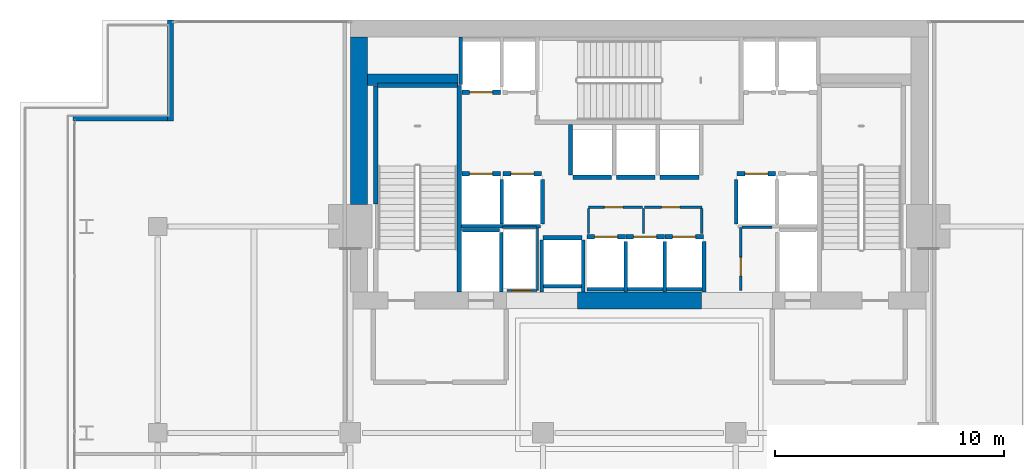
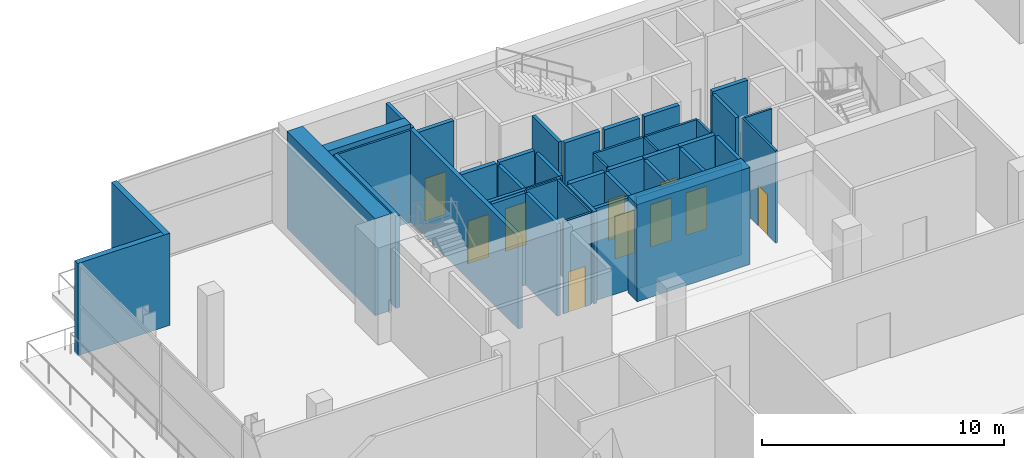
# One storey, part 25 of 31: 44 walls, 11 doors, 11 openings.
"""IFC4 building model written with IfcOpenShell, lengths in metres."""

from ifc_helpers import new_model, si_unit, direction, frame, frame_2d, origin, place, context, subcontext, project, spatial, rectangle, extrude, material, layer, layer_set, type_object, element, fill, save


model = new_model("IFC4")

# Units and contexts
model_context = context("Model", 3, precision=1e-05, world=origin(), true_north=direction((0.0, 1.0)))
body_context = subcontext(model_context, "Body", "Model", "MODEL_VIEW")
ifc_project = project(units=[si_unit("LENGTHUNIT", "METRE"), si_unit("AREAUNIT", "SQUARE_METRE"), si_unit("VOLUMEUNIT", "CUBIC_METRE"), si_unit("PLANEANGLEUNIT", "RADIAN"), si_unit("MASSUNIT", "GRAM", prefix="KILO")], contexts=[model_context])

# Site, building, storey
site_placement = place(None, origin())
site = spatial("IfcSite", under=ifc_project, at=site_placement, CompositionType="ELEMENT")
building_placement = place(site_placement, origin())
building = spatial("IfcBuilding", under=site, at=building_placement, Name="Maruvema Waterfront Hotel and Observation Tower", CompositionType="ELEMENT")
storey_placement = place(building_placement, frame((0.0, 0.0, 122.5)))
storey = spatial("IfcBuildingStorey", under=building, at=storey_placement, Name="L29", CompositionType="ELEMENT", Elevation=122.5)

# Walls
ifc_material_1 = material(Name="Precast concrete C45/55", Category="concrete")
ifc_layer_1 = layer(ifc_material_1, 0.199951171875, Name="Core Shaft and Stairwell Enclosure Wall 200 mm")
ifc_layer_set_1 = layer_set([ifc_layer_1], Name="Precast concrete C45/55")
wall_type_1 = type_object("IfcWallType", Name="Core Shaft and Stairwell Enclosure Wall 200 mm", PredefinedType="SOLIDWALL", material=ifc_layer_set_1)
wall_1_placement = place(storey_placement, frame((29.949951171875, 42.14990234375, 0.0), z_axis=(0.0, 0.0, 1.0), x_axis=(0.0, 1.0, 0.0)))
element("IfcWall", 1, at=wall_1_placement, inside=storey, type_object=wall_type_1, Name="L29 Stairwell ST-01 East Shaft Wall", PredefinedType="SOLIDWALL", context=body_context, shape_type="SweptSolid", body=[
    extrude(rectangle(XDim=9.0, YDim=0.199951171875, at=frame_2d((4.5, 0.0))), origin(), (0.0, 0.0, 1.0), 4.659912109375),
])
wall_2_placement = place(storey_placement, frame((26.300048828125, 45.97998046875, 0.0), z_axis=(0.0, 0.0, 1.0), x_axis=(0.0, 1.0, 0.0)))
element("IfcWall", 2, at=wall_2_placement, inside=storey, type_object=wall_type_1, Name="L29 Stairwell ST-01 Shaft Lining Wall", PredefinedType="SOLIDWALL", context=body_context, shape_type="SweptSolid", body=[
    extrude(rectangle(XDim=5.14013671875, YDim=0.199951171875, at=frame_2d((2.570068359375, 0.0))), origin(), (0.0, 0.0, 1.0), 4.659912109375),
])
wall_3_placement = place(storey_placement, frame((26.3798828125, 51.14990234375, 0.0), z_axis=(0.0, 0.0, 1.0), x_axis=(1.0, 0.0, 0.0)))
element("IfcWall", 3, at=wall_3_placement, inside=storey, type_object=wall_type_1, Name="L29 Stairwell ST-01 Shaft Lining Wall", PredefinedType="SOLIDWALL", context=body_context, shape_type="SweptSolid", body=[
    extrude(rectangle(XDim=3.5, YDim=0.199951171875, at=frame_2d((1.75, 0.0))), origin(), (0.0, 0.0, 1.0), 4.659912109375),
])

# Wall, opening, door
wall_4_placement = place(storey_placement, frame((30.06005859375, 47.300048828125, 0.0), z_axis=(0.0, 0.0, 1.0), x_axis=(1.0, 0.0, 0.0)))
wall_4 = element("IfcWall", 4, at=wall_4_placement, inside=storey, type_object=wall_type_1, Name="L29 Lift LF-01 Hoistway Front Wall", PredefinedType="SOLIDWALL", context=body_context, shape_type="SweptSolid", body=[
    extrude(rectangle(XDim=1.679931640625, YDim=0.199951171875, at=frame_2d((0.83984375, 0.0))), origin(), (0.0, 0.0, 1.0), 4.659912109375),
])
opening_1_placement = place(wall_4_placement, frame((0.340087890625, 0.0, 0.0)))
opening_1 = element("IfcOpeningElement", 5, at=opening_1_placement, cuts=wall_4, Name="Opening LD-01", PredefinedType="OPENING", context=body_context, shape_type="SweptSolid", body=[
    extrude(rectangle(XDim=1.0, YDim=2.14990234375, at=frame_2d((0.5, 1.074951171875))), frame((0.0, 0.10986328125, 0.0), z_axis=(0.0, -1.0, 0.0), x_axis=(1.0, 0.0, 0.0)), (0.0, 0.0, 1.0), 0.219970703125),
])
ifc_material_2 = material(Name="Brushed stainless steel Grade 316", Category="steel")
door_type_1 = type_object("IfcDoorType", Name="Passenger Lift Sliding Landing Door 1000x2150 mm", OperationType="SLIDING_TO_LEFT", PredefinedType="DOOR", material=ifc_material_2)
door_1_placement = place(opening_1_placement, origin())
door_1 = element("IfcDoor", 6, at=door_1_placement, inside=storey, type_object=door_type_1, Name="L29 Lift LF-01 Sliding Landing Door", OperationType="SLIDING_TO_LEFT", OverallHeight=2.14990234375, OverallWidth=1.0, PredefinedType="DOOR", context=body_context, shape_type="SweptSolid", body=[
    extrude(rectangle(XDim=1.0, YDim=2.14990234375, at=frame_2d((0.5, 1.074951171875))), frame((0.0, 0.02490234375, 0.0), z_axis=(0.0, -1.0, 0.0), x_axis=(1.0, 0.0, 0.0)), (0.0, 0.0, 1.0), 0.050048828125),
])
fill(opening_1, door_1)

wall_5_placement = place(storey_placement, frame((31.860107421875, 47.300048828125, 0.0), z_axis=(0.0, 0.0, 1.0), x_axis=(1.0, 0.0, 0.0)))
wall_5 = element("IfcWall", 7, at=wall_5_placement, inside=storey, type_object=wall_type_1, Name="L29 Lift LF-02 Hoistway Front Wall", PredefinedType="SOLIDWALL", context=body_context, shape_type="SweptSolid", body=[
    extrude(rectangle(XDim=1.679931640625, YDim=0.199951171875, at=frame_2d((0.83984375, 0.0))), origin(), (0.0, 0.0, 1.0), 4.659912109375),
])
opening_2_placement = place(wall_5_placement, frame((0.340087890625, 0.0, 0.0)))
opening_2 = element("IfcOpeningElement", 8, at=opening_2_placement, cuts=wall_5, Name="Opening LD-01", PredefinedType="OPENING", context=body_context, shape_type="SweptSolid", body=[
    extrude(rectangle(XDim=1.0, YDim=2.14990234375, at=frame_2d((0.5, 1.074951171875))), frame((0.0, 0.10986328125, 0.0), z_axis=(0.0, -1.0, 0.0), x_axis=(1.0, 0.0, 0.0)), (0.0, 0.0, 1.0), 0.219970703125),
])
door_2_placement = place(opening_2_placement, origin())
door_2 = element("IfcDoor", 9, at=door_2_placement, inside=storey, type_object=door_type_1, Name="L29 Lift LF-02 Sliding Landing Door", OperationType="SLIDING_TO_LEFT", OverallHeight=2.14990234375, OverallWidth=1.0, PredefinedType="DOOR", context=body_context, shape_type="SweptSolid", body=[
    extrude(rectangle(XDim=1.0, YDim=2.14990234375, at=frame_2d((0.5, 1.074951171875))), frame((0.0, 0.02490234375, 0.0), z_axis=(0.0, -1.0, 0.0), x_axis=(1.0, 0.0, 0.0)), (0.0, 0.0, 1.0), 0.050048828125),
])
fill(opening_2, door_2)

wall_6_placement = place(storey_placement, frame((30.06005859375, 50.85009765625, 0.0), z_axis=(0.0, 0.0, 1.0), x_axis=(1.0, 0.0, 0.0)))
wall_6 = element("IfcWall", 10, at=wall_6_placement, inside=storey, type_object=wall_type_1, Name="L29 Lift LF-03 Hoistway Front Wall", PredefinedType="SOLIDWALL", context=body_context, shape_type="SweptSolid", body=[
    extrude(rectangle(XDim=1.679931640625, YDim=0.199951171875, at=frame_2d((0.83984375, 0.0))), origin(), (0.0, 0.0, 1.0), 4.659912109375),
])
opening_3_placement = place(wall_6_placement, frame((0.340087890625, 0.0, 0.0)))
opening_3 = element("IfcOpeningElement", 11, at=opening_3_placement, cuts=wall_6, Name="Opening LD-01", PredefinedType="OPENING", context=body_context, shape_type="SweptSolid", body=[
    extrude(rectangle(XDim=1.0, YDim=2.14990234375, at=frame_2d((0.5, 1.074951171875))), frame((0.0, 0.10986328125, 0.0), z_axis=(0.0, -1.0, 0.0), x_axis=(1.0, 0.0, 0.0)), (0.0, 0.0, 1.0), 0.219970703125),
])
door_3_placement = place(opening_3_placement, frame((1.0, 0.0, 0.0), z_axis=(0.0, 0.0, 1.0), x_axis=(-1.0, 0.0, 0.0)))
door_3 = element("IfcDoor", 12, at=door_3_placement, inside=storey, type_object=door_type_1, Name="L29 Lift LF-03 Sliding Landing Door", OperationType="SLIDING_TO_LEFT", OverallHeight=2.14990234375, OverallWidth=1.0, PredefinedType="DOOR", context=body_context, shape_type="SweptSolid", body=[
    extrude(rectangle(XDim=1.0, YDim=2.14990234375, at=frame_2d((0.5, 1.074951171875))), frame((0.0, 0.02490234375, 0.0), z_axis=(0.0, -1.0, 0.0), x_axis=(1.0, 0.0, 0.0)), (0.0, 0.0, 1.0), 0.050048828125),
])
fill(opening_3, door_3)

wall_7_placement = place(storey_placement, frame((42.06005859375, 47.300048828125, 0.0), z_axis=(0.0, 0.0, 1.0), x_axis=(1.0, 0.0, 0.0)))
wall_7 = element("IfcWall", 13, at=wall_7_placement, inside=storey, type_object=wall_type_1, Name="L29 Lift LF-05 Hoistway Front Wall", PredefinedType="SOLIDWALL", context=body_context, shape_type="SweptSolid", body=[
    extrude(rectangle(XDim=1.679931640625, YDim=0.199951171875, at=frame_2d((0.83984375, 0.0))), origin(), (0.0, 0.0, 1.0), 4.659912109375),
])
opening_4_placement = place(wall_7_placement, frame((0.340087890625, 0.0, 0.0)))
opening_4 = element("IfcOpeningElement", 14, at=opening_4_placement, cuts=wall_7, Name="Opening LD-01", PredefinedType="OPENING", context=body_context, shape_type="SweptSolid", body=[
    extrude(rectangle(XDim=1.0, YDim=2.14990234375, at=frame_2d((0.5, 1.074951171875))), frame((0.0, 0.10986328125, 0.0), z_axis=(0.0, -1.0, 0.0), x_axis=(1.0, 0.0, 0.0)), (0.0, 0.0, 1.0), 0.219970703125),
])
door_4_placement = place(opening_4_placement, origin())
door_4 = element("IfcDoor", 15, at=door_4_placement, inside=storey, type_object=door_type_1, Name="L29 Lift LF-05 Sliding Landing Door", OperationType="SLIDING_TO_LEFT", OverallHeight=2.14990234375, OverallWidth=1.0, PredefinedType="DOOR", context=body_context, shape_type="SweptSolid", body=[
    extrude(rectangle(XDim=1.0, YDim=2.14990234375, at=frame_2d((0.5, 1.074951171875))), frame((0.0, 0.02490234375, 0.0), z_axis=(0.0, -1.0, 0.0), x_axis=(1.0, 0.0, 0.0)), (0.0, 0.0, 1.0), 0.050048828125),
])
fill(opening_4, door_4)

wall_8_placement = place(storey_placement, frame((35.510009765625, 44.550048828125, 0.0), z_axis=(0.0, 0.0, 1.0), x_axis=(1.0, 0.0, 0.0)))
wall_8 = element("IfcWall", 16, at=wall_8_placement, inside=storey, type_object=wall_type_1, Name="L29 Lift LF-09 Hoistway Front Wall", PredefinedType="SOLIDWALL", context=body_context, shape_type="SweptSolid", body=[
    extrude(rectangle(XDim=1.679931640625, YDim=0.199951171875, at=frame_2d((0.83984375, 0.0))), origin(), (0.0, 0.0, 1.0), 4.659912109375),
])
opening_5_placement = place(wall_8_placement, frame((0.340087890625, 0.0, 0.0)))
opening_5 = element("IfcOpeningElement", 17, at=opening_5_placement, cuts=wall_8, Name="Opening LD-01", PredefinedType="OPENING", context=body_context, shape_type="SweptSolid", body=[
    extrude(rectangle(XDim=1.0, YDim=2.14990234375, at=frame_2d((0.5, 1.074951171875))), frame((0.0, 0.10986328125, 0.0), z_axis=(0.0, -1.0, 0.0), x_axis=(1.0, 0.0, 0.0)), (0.0, 0.0, 1.0), 0.219970703125),
])
door_5_placement = place(opening_5_placement, origin())
door_5 = element("IfcDoor", 18, at=door_5_placement, inside=storey, type_object=door_type_1, Name="L29 Lift LF-09 Sliding Landing Door", OperationType="SLIDING_TO_LEFT", OverallHeight=2.14990234375, OverallWidth=1.0, PredefinedType="DOOR", context=body_context, shape_type="SweptSolid", body=[
    extrude(rectangle(XDim=1.0, YDim=2.14990234375, at=frame_2d((0.5, 1.074951171875))), frame((0.0, 0.02490234375, 0.0), z_axis=(0.0, -1.0, 0.0), x_axis=(1.0, 0.0, 0.0)), (0.0, 0.0, 1.0), 0.050048828125),
])
fill(opening_5, door_5)

wall_9_placement = place(storey_placement, frame((37.2099609375, 44.550048828125, 0.0), z_axis=(0.0, 0.0, 1.0), x_axis=(1.0, 0.0, 0.0)))
wall_9 = element("IfcWall", 19, at=wall_9_placement, inside=storey, type_object=wall_type_1, Name="L29 Lift LF-10 Hoistway Front Wall", PredefinedType="SOLIDWALL", context=body_context, shape_type="SweptSolid", body=[
    extrude(rectangle(XDim=1.679931640625, YDim=0.199951171875, at=frame_2d((0.83984375, 0.0))), origin(), (0.0, 0.0, 1.0), 4.659912109375),
])
opening_6_placement = place(wall_9_placement, frame((0.340087890625, 0.0, 0.0)))
opening_6 = element("IfcOpeningElement", 20, at=opening_6_placement, cuts=wall_9, Name="Opening LD-01", PredefinedType="OPENING", context=body_context, shape_type="SweptSolid", body=[
    extrude(rectangle(XDim=1.0, YDim=2.14990234375, at=frame_2d((0.5, 1.074951171875))), frame((0.0, 0.10986328125, 0.0), z_axis=(0.0, -1.0, 0.0), x_axis=(1.0, 0.0, 0.0)), (0.0, 0.0, 1.0), 0.219970703125),
])
door_6_placement = place(opening_6_placement, origin())
door_6 = element("IfcDoor", 21, at=door_6_placement, inside=storey, type_object=door_type_1, Name="L29 Lift LF-10 Sliding Landing Door", OperationType="SLIDING_TO_LEFT", OverallHeight=2.14990234375, OverallWidth=1.0, PredefinedType="DOOR", context=body_context, shape_type="SweptSolid", body=[
    extrude(rectangle(XDim=1.0, YDim=2.14990234375, at=frame_2d((0.5, 1.074951171875))), frame((0.0, 0.02490234375, 0.0), z_axis=(0.0, -1.0, 0.0), x_axis=(1.0, 0.0, 0.0)), (0.0, 0.0, 1.0), 0.050048828125),
])
fill(opening_6, door_6)

wall_10_placement = place(storey_placement, frame((38.909912109375, 44.550048828125, 0.0), z_axis=(0.0, 0.0, 1.0), x_axis=(1.0, 0.0, 0.0)))
wall_10 = element("IfcWall", 22, at=wall_10_placement, inside=storey, type_object=wall_type_1, Name="L29 Lift LF-11 Hoistway Front Wall", PredefinedType="SOLIDWALL", context=body_context, shape_type="SweptSolid", body=[
    extrude(rectangle(XDim=1.68017578125, YDim=0.199951171875, at=frame_2d((0.840087890625, 0.0))), origin(), (0.0, 0.0, 1.0), 4.659912109375),
])
opening_7_placement = place(wall_10_placement, frame((0.340087890625, 0.0, 0.0)))
opening_7 = element("IfcOpeningElement", 23, at=opening_7_placement, cuts=wall_10, Name="Opening LD-01", PredefinedType="OPENING", context=body_context, shape_type="SweptSolid", body=[
    extrude(rectangle(XDim=1.0, YDim=2.14990234375, at=frame_2d((0.5, 1.074951171875))), frame((0.0, 0.10986328125, 0.0), z_axis=(0.0, -1.0, 0.0), x_axis=(1.0, 0.0, 0.0)), (0.0, 0.0, 1.0), 0.219970703125),
])
door_7_placement = place(opening_7_placement, origin())
door_7 = element("IfcDoor", 24, at=door_7_placement, inside=storey, type_object=door_type_1, Name="L29 Lift LF-11 Sliding Landing Door", OperationType="SLIDING_TO_LEFT", OverallHeight=2.14990234375, OverallWidth=1.0, PredefinedType="DOOR", context=body_context, shape_type="SweptSolid", body=[
    extrude(rectangle(XDim=1.0, YDim=2.14990234375, at=frame_2d((0.5, 1.074951171875))), frame((0.0, 0.02490234375, 0.0), z_axis=(0.0, -1.0, 0.0), x_axis=(1.0, 0.0, 0.0)), (0.0, 0.0, 1.0), 0.050048828125),
])
fill(opening_7, door_7)

# Walls
wall_11_placement = place(storey_placement, frame((34.909912109375, 47.14990234375, 0.0), z_axis=(0.0, 0.0, 1.0), x_axis=(1.0, 0.0, 0.0)))
element("IfcWall", 25, at=wall_11_placement, inside=storey, type_object=wall_type_1, Name="L29 Lift LF-12 Hoistway Front Wall", PredefinedType="SOLIDWALL", context=body_context, shape_type="SweptSolid", body=[
    extrude(rectangle(XDim=1.68017578125, YDim=0.199951171875, at=frame_2d((0.840087890625, 0.0))), origin(), (0.0, 0.0, 1.0), 4.659912109375),
])
for number, where, z_axis, x_axis, name in (
    (26, (36.81005859375, 47.14990234375, 0.0), (0.0, 0.0, 1.0), (1.0, 0.0, 0.0), "L29 Lift LF-13 Hoistway Front Wall"),
    (27, (38.7099609375, 47.14990234375, 0.0), (0.0, 0.0, 1.0), (1.0, 0.0, 0.0), "L29 Lift LF-14 Hoistway Front Wall"),
    (28, (33.610107421875, 44.5, 0.0), (0.0, 0.0, 1.0), (1.0, 0.0, 0.0), "L29 Lift LF-15 Hoistway Front Wall"),
):
    element("IfcWall", number, at=place(storey_placement, frame(where, z_axis=z_axis, x_axis=x_axis)), inside=storey, type_object=wall_type_1, Name=name, PredefinedType="SOLIDWALL", context=body_context, shape_type="SweptSolid", body=[
        extrude(rectangle(XDim=1.679931640625, YDim=0.199951171875, at=frame_2d((0.83984375, 0.0))), origin(), (0.0, 0.0, 1.0), 4.659912109375),
    ])
ifc_material_3 = material(Name="Concrete C70/85", Category="concrete")
ifc_layer_2 = layer(ifc_material_3, 0.5, Name="Core Shear Wall 500 mm")
ifc_layer_set_2 = layer_set([ifc_layer_2], Name="Concrete C70/85")
wall_type_2 = type_object("IfcWallType", Name="Core Shear Wall 500 mm", PredefinedType="SHEAR", material=ifc_layer_set_2)
wall_12_placement = place(storey_placement, frame((25.949951171875, 51.39990234375, 0.0), z_axis=(0.0, 0.0, 1.0), x_axis=(1.0, 0.0, 0.0)))
element("IfcWall", 29, at=wall_12_placement, inside=storey, type_object=wall_type_2, Name="L29 Internal Core Shear Wall NW 500 mm", PredefinedType="SHEAR", context=body_context, shape_type="SweptSolid", body=[
    extrude(rectangle(XDim=3.949951171875, YDim=0.5, at=frame_2d((1.97509765625, 0.0))), origin(), (0.0, 0.0, 1.0), 4.89990234375),
])
ifc_material_4 = material(Name="Concrete C70/85", Category="concrete")
ifc_layer_3 = layer(ifc_material_4, 0.75, Name="Core Shear Wall 750 mm")
ifc_layer_set_3 = layer_set([ifc_layer_3], Name="Concrete C70/85")
wall_type_3 = type_object("IfcWallType", Name="Core Shear Wall 750 mm", PredefinedType="SHEAR", material=ifc_layer_set_3)
wall_13_placement = place(storey_placement, frame((35.10009765625, 41.77490234375, 0.0), z_axis=(0.0, 0.0, 1.0), x_axis=(1.0, 0.0, 0.0)))
element("IfcWall", 30, at=wall_13_placement, inside=storey, type_object=wall_type_3, Name="L29 South-Central Core Shear Wall", PredefinedType="SHEAR", context=body_context, shape_type="SweptSolid", body=[
    extrude(rectangle(XDim=5.39990234375, YDim=0.75, at=frame_2d((2.699951171875, 0.0))), origin(), (0.0, 0.0, 1.0), 4.89990234375),
])
wall_14_placement = place(storey_placement, frame((25.574951171875, 45.949951171875, 0.0), z_axis=(0.0, 0.0, 1.0), x_axis=(0.0, 1.0, 0.0)))
element("IfcWall", 31, at=wall_14_placement, inside=storey, type_object=wall_type_3, Name="L29 West-North Core Shear Wall", PredefinedType="SHEAR", context=body_context, shape_type="SweptSolid", body=[
    extrude(rectangle(XDim=7.300048828125, YDim=0.75, at=frame_2d((3.64990234375, 0.0))), origin(), (0.0, 0.0, 1.0), 4.89990234375),
])

# Wall, opening, door
ifc_material_5 = material(Name="Moisture-resistant cement-board drywall", Category="gypsum")
ifc_layer_4 = layer(ifc_material_5, 0.10009765625, Name="En-Suite Moisture-Resistant Partition 100 mm")
ifc_layer_set_4 = layer_set([ifc_layer_4], Name="Moisture-resistant cement-board drywall")
wall_type_4 = type_object("IfcWallType", Name="En-Suite Moisture-Resistant Partition 100 mm", PredefinedType="PARTITIONING", material=ifc_layer_set_4)
wall_15_placement = place(storey_placement, frame((32.02001953125, 42.2099609375, 0.0), z_axis=(0.0, 0.0, 1.0), x_axis=(1.0, 0.0, 0.0)))
wall_15 = element("IfcWall", 32, at=wall_15_placement, inside=storey, type_object=wall_type_4, Name="L29 Telecom Riser South Wall 007", PredefinedType="PARTITIONING", context=body_context, shape_type="SweptSolid", body=[
    extrude(rectangle(XDim=1.320068359375, YDim=0.10009765625, at=frame_2d((0.66015625, 0.0))), origin(), (0.0, 0.0, 1.0), 4.659912109375),
])
opening_8_placement = place(wall_15_placement, frame((0.239990234375, 0.0, 0.0)))
opening_8 = element("IfcOpeningElement", 33, at=opening_8_placement, cuts=wall_15, Name="Opening DR-080", PredefinedType="OPENING", context=body_context, shape_type="SweptSolid", body=[
    extrude(rectangle(XDim=0.800048828125, YDim=2.050048828125, at=frame_2d((0.39990234375, 1.02490234375))), frame((0.0, 0.06005859375, 0.0), z_axis=(0.0, -1.0, 0.0), x_axis=(1.0, 0.0, 0.0)), (0.0, 0.0, 1.0), 0.1201171875),
])
ifc_material_6 = material(Name="Powder-coated steel access leaf", Category="steel")
door_type_2 = type_object("IfcDoorType", Name="Riser and Service Cupboard Door 800x2050 mm", OperationType="NOTDEFINED", PredefinedType="DOOR", material=ifc_material_6)
door_8_placement = place(opening_8_placement, frame((0.800048828125, 0.0, 0.0), z_axis=(0.0, 0.0, 1.0), x_axis=(-1.0, 0.0, 0.0)))
door_8 = element("IfcDoor", 34, at=door_8_placement, inside=storey, type_object=door_type_2, Name="L29 Telecom Riser Door", OperationType="SINGLE_SWING_LEFT", OverallHeight=2.050048828125, OverallWidth=0.800048828125, PredefinedType="DOOR", context=body_context, shape_type="SweptSolid", body=[
    extrude(rectangle(XDim=0.800048828125, YDim=2.050048828125, at=frame_2d((0.39990234375, 1.02490234375))), frame((0.0, 0.02490234375, 0.0), z_axis=(0.0, -1.0, 0.0), x_axis=(1.0, 0.0, 0.0)), (0.0, 0.0, 1.0), 0.050048828125),
])
fill(opening_8, door_8)

# Walls
wall_16_placement = place(storey_placement, frame((31.840087890625, 44.9599609375, 0.0), z_axis=(0.0, 0.0, 1.0), x_axis=(1.0, 0.0, 0.0)))
element("IfcWall", 35, at=wall_16_placement, inside=storey, type_object=wall_type_4, Name="L29 Telecom Riser North Wall 008", PredefinedType="PARTITIONING", context=body_context, shape_type="SweptSolid", body=[
    extrude(rectangle(XDim=1.47998046875, YDim=0.10009765625, at=frame_2d((0.739990234375, 0.0))), origin(), (0.0, 0.0, 1.0), 4.659912109375),
])
wall_17_placement = place(storey_placement, frame((33.360107421875, 42.2099609375, 0.0), z_axis=(0.0, 0.0, 1.0), x_axis=(0.0, 1.0, 0.0)))
element("IfcWall", 36, at=wall_17_placement, inside=storey, type_object=wall_type_4, Name="L29 Telecom Riser East Wall 009", PredefinedType="PARTITIONING", context=body_context, shape_type="SweptSolid", body=[
    extrude(rectangle(XDim=2.72998046875, YDim=0.10009765625, at=frame_2d((1.364990234375, 0.0))), origin(), (0.0, 0.0, 1.0), 4.659912109375),
])

# Wall, opening, door
wall_18_placement = place(storey_placement, frame((35.580078125, 45.840087890625, 0.0), z_axis=(0.0, 0.0, 1.0), x_axis=(1.0, 0.0, 0.0)))
wall_18 = element("IfcWall", 37, at=wall_18_placement, inside=storey, type_object=wall_type_4, Name="L29 Core Closet K2A North 010", PredefinedType="PARTITIONING", context=body_context, shape_type="SweptSolid", body=[
    extrude(rectangle(XDim=2.35986328125, YDim=0.10009765625, at=frame_2d((1.179931640625, 0.0))), origin(), (0.0, 0.0, 1.0), 4.659912109375),
])
opening_9_placement = place(wall_18_placement, frame((0.699951171875, 0.0, 0.0)))
opening_9 = element("IfcOpeningElement", 38, at=opening_9_placement, cuts=wall_18, Name="Opening DR-080", PredefinedType="OPENING", context=body_context, shape_type="SweptSolid", body=[
    extrude(rectangle(XDim=0.800048828125, YDim=2.050048828125, at=frame_2d((0.39990234375, 1.02490234375))), frame((0.0, 0.06005859375, 0.0), z_axis=(0.0, -1.0, 0.0), x_axis=(1.0, 0.0, 0.0)), (0.0, 0.0, 1.0), 0.1201171875),
])
door_9_placement = place(opening_9_placement, origin())
door_9 = element("IfcDoor", 39, at=door_9_placement, inside=storey, type_object=door_type_2, Name="L29 Core IT Closet Door", OperationType="SINGLE_SWING_RIGHT", OverallHeight=2.050048828125, OverallWidth=0.800048828125, PredefinedType="DOOR", context=body_context, shape_type="SweptSolid", body=[
    extrude(rectangle(XDim=0.800048828125, YDim=2.050048828125, at=frame_2d((0.39990234375, 1.02490234375))), frame((0.0, 0.02490234375, 0.0), z_axis=(0.0, -1.0, 0.0), x_axis=(1.0, 0.0, 0.0)), (0.0, 0.0, 1.0), 0.050048828125),
])
fill(opening_9, door_9)

wall_19_placement = place(storey_placement, frame((38.02001953125, 45.840087890625, 0.0), z_axis=(0.0, 0.0, 1.0), x_axis=(1.0, 0.0, 0.0)))
wall_19 = element("IfcWall", 40, at=wall_19_placement, inside=storey, type_object=wall_type_4, Name="L29 Core Closet K2B North 011", PredefinedType="PARTITIONING", context=body_context, shape_type="SweptSolid", body=[
    extrude(rectangle(XDim=2.5, YDim=0.10009765625, at=frame_2d((1.25, 0.0))), origin(), (0.0, 0.0, 1.0), 4.659912109375),
])
opening_10_placement = place(wall_19_placement, frame((0.75, 0.0, 0.0)))
opening_10 = element("IfcOpeningElement", 41, at=opening_10_placement, cuts=wall_19, Name="Opening DR-080", PredefinedType="OPENING", context=body_context, shape_type="SweptSolid", body=[
    extrude(rectangle(XDim=0.800048828125, YDim=2.050048828125, at=frame_2d((0.39990234375, 1.02490234375))), frame((0.0, 0.06005859375, 0.0), z_axis=(0.0, -1.0, 0.0), x_axis=(1.0, 0.0, 0.0)), (0.0, 0.0, 1.0), 0.1201171875),
])
door_10_placement = place(opening_10_placement, origin())
door_10 = element("IfcDoor", 42, at=door_10_placement, inside=storey, type_object=door_type_2, Name="L29 Core Linen Cupboard Door", OperationType="SINGLE_SWING_LEFT", OverallHeight=2.050048828125, OverallWidth=0.800048828125, PredefinedType="DOOR", context=body_context, shape_type="SweptSolid", body=[
    extrude(rectangle(XDim=0.800048828125, YDim=2.050048828125, at=frame_2d((0.39990234375, 1.02490234375))), frame((0.0, 0.02490234375, 0.0), z_axis=(0.0, -1.0, 0.0), x_axis=(1.0, 0.0, 0.0)), (0.0, 0.0, 1.0), 0.050048828125),
])
fill(opening_10, door_10)

# Walls
for number, where, z_axis, x_axis, name in (
    (43, (35.580078125, 44.699951171875, 0.0), (0.0, 0.0, 1.0), (0.0, 1.0, 0.0), "L29 Core Closet K2 West 012"),
    (44, (37.97998046875, 44.699951171875, 0.0), (0.0, 0.0, 1.0), (0.0, 1.0, 0.0), "L29 Core Closet K2 Mid 013"),
    (45, (40.52001953125, 44.699951171875, 0.0), (0.0, 0.0, 1.0), (0.0, 1.0, 0.0), "L29 Core Closet K2 East 014"),
):
    element("IfcWall", number, at=place(storey_placement, frame(where, z_axis=z_axis, x_axis=x_axis)), inside=storey, type_object=wall_type_4, Name=name, PredefinedType="PARTITIONING", context=body_context, shape_type="SweptSolid", body=[
        extrude(rectangle(XDim=1.080078125, YDim=0.10009765625, at=frame_2d((0.5400390625, 0.0))), origin(), (0.0, 0.0, 1.0), 4.659912109375),
    ])

# Wall, opening, door
wall_20_placement = place(storey_placement, frame((42.219970703125, 42.199951171875, 0.0), z_axis=(0.0, 0.0, 1.0), x_axis=(0.0, 1.0, 0.0)))
wall_20 = element("IfcWall", 46, at=wall_20_placement, inside=storey, type_object=wall_type_4, Name="L29 Core Closet K2C West 015", PredefinedType="PARTITIONING", context=body_context, shape_type="SweptSolid", body=[
    extrude(rectangle(XDim=2.760009765625, YDim=0.10009765625, at=frame_2d((1.3798828125, 0.0))), origin(), (0.0, 0.0, 1.0), 4.659912109375),
])
opening_11_placement = place(wall_20_placement, frame((0.64990234375, 0.0, 0.0)))
opening_11 = element("IfcOpeningElement", 47, at=opening_11_placement, cuts=wall_20, Name="Opening DR-080", PredefinedType="OPENING", context=body_context, shape_type="SweptSolid", body=[
    extrude(rectangle(XDim=0.800048828125, YDim=2.050048828125, at=frame_2d((0.39990234375, 1.02490234375))), frame((0.0, 0.06005859375, 0.0), z_axis=(0.0, -1.0, 0.0), x_axis=(1.0, 0.0, 0.0)), (0.0, 0.0, 1.0), 0.1201171875),
])
door_11_placement = place(opening_11_placement, frame((0.800048828125, 0.0, 0.0), z_axis=(0.0, 0.0, 1.0), x_axis=(-1.0, 0.0, 0.0)))
door_11 = element("IfcDoor", 48, at=door_11_placement, inside=storey, type_object=door_type_2, Name="L29 Core Housekeeping Closet Door", OperationType="SINGLE_SWING_RIGHT", OverallHeight=2.050048828125, OverallWidth=0.800048828125, PredefinedType="DOOR", context=body_context, shape_type="SweptSolid", body=[
    extrude(rectangle(XDim=0.800048828125, YDim=2.050048828125, at=frame_2d((0.39990234375, 1.02490234375))), frame((0.0, 0.02490234375, 0.0), z_axis=(0.0, -1.0, 0.0), x_axis=(1.0, 0.0, 0.0)), (0.0, 0.0, 1.0), 0.050048828125),
])
fill(opening_11, door_11)

# Walls
wall_21_placement = place(storey_placement, frame((42.280029296875, 44.9599609375, 0.0), z_axis=(0.0, 0.0, 1.0), x_axis=(1.0, 0.0, 0.0)))
element("IfcWall", 49, at=wall_21_placement, inside=storey, type_object=wall_type_4, Name="L29 Core Closet K2C North 016", PredefinedType="PARTITIONING", context=body_context, shape_type="SweptSolid", body=[
    extrude(rectangle(XDim=1.300048828125, YDim=0.10009765625, at=frame_2d((0.64990234375, 0.0))), origin(), (0.0, 0.0, 1.0), 4.659912109375),
])
ifc_material_7 = material(Name="Precast concrete C45/55 with honed Pernambuco granite facing", Category="masonry")
ifc_layer_5 = layer(ifc_material_7, 0.260009765625, Name="Exterior Granite Clad Spandrel and Pier Wall 260 mm")
ifc_layer_set_5 = layer_set([ifc_layer_5], Name="Precast concrete C45/55 with honed Pernambuco granite facing")
wall_type_5 = type_object("IfcWallType", Name="Exterior Granite Clad Spandrel and Pier Wall 260 mm", PredefinedType="SOLIDWALL", material=ifc_layer_set_5)
for number, where, z_axis, x_axis, name in (
    (50, (17.3701171875, 49.60009765625, 0.0), (0.0, 0.0, 1.0), (0.0, 1.0, 0.0), "L29 Corner Notch Granite Pier Wall NW1"),
    (51, (13.10009765625, 49.72998046875, 0.0), (0.0, 0.0, 1.0), (1.0, 0.0, 0.0), "L29 Corner Notch Granite Pier Wall NW2"),
):
    element("IfcWall", number, at=place(storey_placement, frame(where, z_axis=z_axis, x_axis=x_axis)), inside=storey, type_object=wall_type_5, Name=name, PredefinedType="SOLIDWALL", context=body_context, shape_type="SweptSolid", body=[
        extrude(rectangle(XDim=4.39990234375, YDim=0.260009765625, at=frame_2d((2.199951171875, 0.0))), origin(), (0.0, 0.0, 1.0), 4.659912109375),
    ])
ifc_material_8 = material(Name="Precast concrete C45/55", Category="concrete")
ifc_layer_6 = layer(ifc_material_8, 0.159912109375, Name="Lift Hoistway Divider Wall 160 mm")
ifc_layer_set_6 = layer_set([ifc_layer_6], Name="Precast concrete C45/55")
wall_type_6 = type_object("IfcWallType", Name="Lift Hoistway Divider Wall 160 mm", PredefinedType="SOLIDWALL", material=ifc_layer_set_6)
wall_22_placement = place(storey_placement, frame((30.10009765625, 44.830078125, 0.0), z_axis=(0.0, 0.0, 1.0), x_axis=(1.0, 0.0, 0.0)))
element("IfcWall", 52, at=wall_22_placement, inside=storey, type_object=wall_type_6, Name="L29 Lift FL-01 Rear Hoistway Wall", PredefinedType="SOLIDWALL", context=body_context, shape_type="SweptSolid", body=[
    extrude(rectangle(XDim=1.599853515625, YDim=0.159912109375, at=frame_2d((0.7998046875, 0.0))), origin(), (0.0, 0.0, 1.0), 4.659912109375),
])
wall_23_placement = place(storey_placement, frame((31.780029296875, 42.14990234375, 0.0), z_axis=(0.0, 0.0, 1.0), x_axis=(0.0, 1.0, 0.0)))
element("IfcWall", 53, at=wall_23_placement, inside=storey, type_object=wall_type_6, Name="L29 Lift FL-01 Inner Hoistway Wall", PredefinedType="SOLIDWALL", context=body_context, shape_type="SweptSolid", body=[
    extrude(rectangle(XDim=2.590087890625, YDim=0.159912109375, at=frame_2d((1.294921875, 0.0))), origin(), (0.0, 0.0, 1.0), 4.659912109375),
])
for number, where, z_axis, x_axis, name in (
    (54, (31.800048828125, 45.10009765625, 0.0), (0.0, 0.0, 1.0), (0.0, 1.0, 0.0), "L29 Hoistway Divider Wall"),
    (55, (33.580078125, 45.10009765625, 0.0), (0.0, 0.0, 1.0), (0.0, 1.0, 0.0), "L29 Hoistway Divider Wall"),
):
    element("IfcWall", number, at=place(storey_placement, frame(where, z_axis=z_axis, x_axis=x_axis)), inside=storey, type_object=wall_type_6, Name=name, PredefinedType="SOLIDWALL", context=body_context, shape_type="SweptSolid", body=[
        extrude(rectangle(XDim=1.949951171875, YDim=0.159912109375, at=frame_2d((0.97509765625, 0.0))), origin(), (0.0, 0.0, 1.0), 4.659912109375),
    ])
wall_24_placement = place(storey_placement, frame((30.050048828125, 45.010009765625, 0.0), z_axis=(0.0, 0.0, 1.0), x_axis=(1.0, 0.0, 0.0)))
element("IfcWall", 56, at=wall_24_placement, inside=storey, type_object=wall_type_6, Name="L29 Hoistway Divider Wall", PredefinedType="SOLIDWALL", context=body_context, shape_type="SweptSolid", body=[
    extrude(rectangle(XDim=3.449951171875, YDim=0.159912109375, at=frame_2d((1.72509765625, 0.0))), origin(), (0.0, 0.0, 1.0), 4.659912109375),
])
wall_25_placement = place(storey_placement, frame((30.010009765625, 51.179931640625, 0.0), z_axis=(0.0, 0.0, 1.0), x_axis=(0.0, 1.0, 0.0)))
element("IfcWall", 57, at=wall_25_placement, inside=storey, type_object=wall_type_6, Name="L29 Hoistway Divider Wall", PredefinedType="SOLIDWALL", context=body_context, shape_type="SweptSolid", body=[
    extrude(rectangle(XDim=2.070068359375, YDim=0.159912109375, at=frame_2d((1.03515625, 0.0))), origin(), (0.0, 0.0, 1.0), 4.659912109375),
])
wall_26_placement = place(storey_placement, frame((42.02001953125, 45.10009765625, 0.0), z_axis=(0.0, 0.0, 1.0), x_axis=(0.0, 1.0, 0.0)))
element("IfcWall", 58, at=wall_26_placement, inside=storey, type_object=wall_type_6, Name="L29 Hoistway Divider Wall", PredefinedType="SOLIDWALL", context=body_context, shape_type="SweptSolid", body=[
    extrude(rectangle(XDim=1.949951171875, YDim=0.159912109375, at=frame_2d((0.97509765625, 0.0))), origin(), (0.0, 0.0, 1.0), 4.659912109375),
])
for number, where, z_axis, x_axis, name in (
    (59, (37.199951171875, 42.14990234375, 0.0), (0.0, 0.0, 1.0), (0.0, 1.0, 0.0), "L29 Hoistway Divider Wall"),
    (60, (38.89990234375, 42.14990234375, 0.0), (0.0, 0.0, 1.0), (0.0, 1.0, 0.0), "L29 Hoistway Divider Wall"),
    (61, (40.6201171875, 42.14990234375, 0.0), (0.0, 0.0, 1.0), (0.0, 1.0, 0.0), "L29 Hoistway Divider Wall"),
):
    element("IfcWall", number, at=place(storey_placement, frame(where, z_axis=z_axis, x_axis=x_axis)), inside=storey, type_object=wall_type_6, Name=name, PredefinedType="SOLIDWALL", context=body_context, shape_type="SweptSolid", body=[
        extrude(rectangle(XDim=2.2001953125, YDim=0.159912109375, at=frame_2d((1.10009765625, 0.0))), origin(), (0.0, 0.0, 1.0), 4.659912109375),
    ])
wall_27_placement = place(storey_placement, frame((35.52001953125, 42.260009765625, 0.0), z_axis=(0.0, 0.0, 1.0), x_axis=(1.0, 0.0, 0.0)))
element("IfcWall", 62, at=wall_27_placement, inside=storey, type_object=wall_type_6, Name="L29 Hoistway Divider Wall", PredefinedType="SOLIDWALL", context=body_context, shape_type="SweptSolid", body=[
    extrude(rectangle(XDim=5.02001953125, YDim=0.159912109375, at=frame_2d((2.510009765625, 0.0))), origin(), (0.0, 0.0, 1.0), 4.659912109375),
])
wall_28_placement = place(storey_placement, frame((34.800048828125, 47.25, 0.0), z_axis=(0.0, 0.0, 1.0), x_axis=(0.0, 1.0, 0.0)))
element("IfcWall", 63, at=wall_28_placement, inside=storey, type_object=wall_type_6, Name="L29 Hoistway Divider Wall", PredefinedType="SOLIDWALL", context=body_context, shape_type="SweptSolid", body=[
    extrude(rectangle(XDim=2.18994140625, YDim=0.159912109375, at=frame_2d((1.094970703125, 0.0))), origin(), (0.0, 0.0, 1.0), 4.659912109375),
])
for number, where, z_axis, x_axis, name in (
    (64, (33.5400390625, 42.14990234375, 0.0), (0.0, 0.0, 1.0), (0.0, 1.0, 0.0), "L29 Hoistway Divider Wall"),
    (65, (35.360107421875, 42.14990234375, 0.0), (0.0, 0.0, 1.0), (0.0, 1.0, 0.0), "L29 Hoistway Divider Wall"),
):
    element("IfcWall", number, at=place(storey_placement, frame(where, z_axis=z_axis, x_axis=x_axis)), inside=storey, type_object=wall_type_6, Name=name, PredefinedType="SOLIDWALL", context=body_context, shape_type="SweptSolid", body=[
        extrude(rectangle(XDim=2.25, YDim=0.159912109375, at=frame_2d((1.125, 0.0))), origin(), (0.0, 0.0, 1.0), 4.659912109375),
    ])
wall_29_placement = place(storey_placement, frame((33.6201171875, 42.39990234375, 0.0), z_axis=(0.0, 0.0, 1.0), x_axis=(1.0, 0.0, 0.0)))
element("IfcWall", 66, at=wall_29_placement, inside=storey, type_object=wall_type_6, Name="L29 Hoistway Divider Wall", PredefinedType="SOLIDWALL", context=body_context, shape_type="SweptSolid", body=[
    extrude(rectangle(XDim=1.659912109375, YDim=0.159912109375, at=frame_2d((0.830078125, 0.0))), origin(), (0.0, 0.0, 1.0), 4.659912109375),
])

save(model, "model.ifc")
